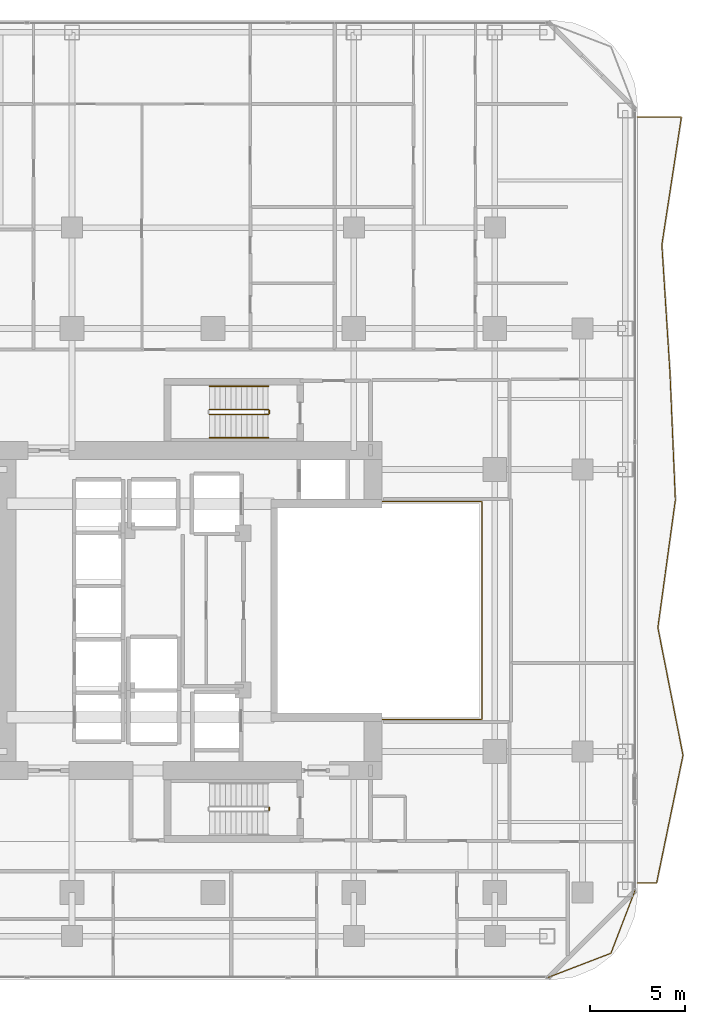
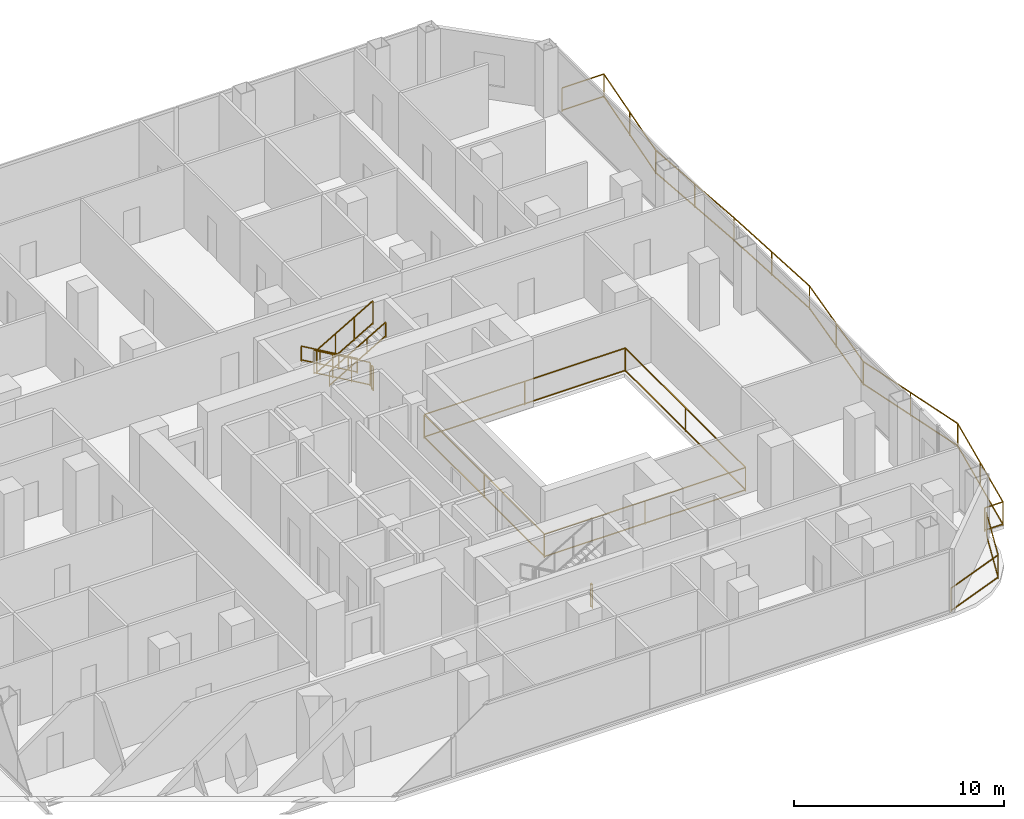
# One storey, part 26 of 27: 9 railings.
"""IFC4 building model written with IfcOpenShell, lengths in metres."""

from ifc_helpers import new_model, si_unit, direction, frame, origin, origin_2d, place, context, subcontext, project, spatial, rectangle, extrude, material, type_object, element, save


model = new_model("IFC4")

# Units and contexts
model_context = context("Model", 3, precision=1e-05, world=origin(), true_north=direction((0.0, 1.0)))
body_context = subcontext(model_context, "Body", "Model", "MODEL_VIEW")
ifc_project = project(units=[si_unit("LENGTHUNIT", "METRE"), si_unit("AREAUNIT", "SQUARE_METRE"), si_unit("VOLUMEUNIT", "CUBIC_METRE"), si_unit("PLANEANGLEUNIT", "RADIAN"), si_unit("MASSUNIT", "GRAM", prefix="KILO")], contexts=[model_context])

# Site, building, storey
site_placement = place(None, origin())
site = spatial("IfcSite", under=ifc_project, at=site_placement, CompositionType="ELEMENT")
building_placement = place(site_placement, origin())
building = spatial("IfcBuilding", under=site, at=building_placement, Name="Khorvyn Point Tower", CompositionType="ELEMENT")
storey_placement = place(building_placement, frame((0.0, 0.0, 96.89990234375)))
storey = spatial("IfcBuildingStorey", under=building, at=storey_placement, Name="L24", CompositionType="ELEMENT", Elevation=96.89990234375)

# Railings
ifc_material_1 = material(Name="Stainless steel 1.4401 and laminated glass", Category="steel")
railing_type_1 = type_object("IfcRailingType", Name="Crystal Atrium Smoke-Rated Perimeter Guardrail 1400", PredefinedType="GUARDRAIL", material=ifc_material_1)
railing_1_placement = place(storey_placement, frame((3.080078125, -5.719970703125, 0.0)))
element("IfcRailing", 1, at=railing_1_placement, inside=storey, type_object=railing_type_1, Name="L24 Crystal Atrium Perimeter Guardrail", PredefinedType="GUARDRAIL", context=body_context, shape_type="SweptSolid", body=[
    extrude(rectangle(XDim=0.048095703125, YDim=0.048095703125, at=origin_2d()), frame((0.0, 0.0, 1.3759765625), z_axis=(1.0, 0.0, 0.0), x_axis=(0.0, 1.0, 0.0)), (0.0, 0.0, 1.0), 11.0400390625),
    extrude(rectangle(XDim=0.048095703125, YDim=0.048095703125, at=origin_2d()), frame((0.0, 0.0, 0.080078125), z_axis=(1.0, 0.0, 0.0), x_axis=(0.0, 1.0, 0.0)), (0.0, 0.0, 1.0), 11.0400390625),
    extrude(rectangle(XDim=0.048095703125, YDim=0.048095703125, at=origin_2d()), frame((11.0400390625, 0.0, 1.3759765625), z_axis=(0.0, 1.0, 0.0), x_axis=(-1.0, 0.0, 0.0)), (0.0, 0.0, 1.0), 11.43994140625),
    extrude(rectangle(XDim=0.048095703125, YDim=0.048095703125, at=origin_2d()), frame((11.0400390625, 0.0, 0.080078125), z_axis=(0.0, 1.0, 0.0), x_axis=(-1.0, 0.0, 0.0)), (0.0, 0.0, 1.0), 11.43994140625),
    extrude(rectangle(XDim=0.048095703125, YDim=0.048095703125, at=origin_2d()), frame((11.0400390625, 11.43994140625, 1.3759765625), z_axis=(-1.0, 0.0, 0.0), x_axis=(0.0, -1.0, 0.0)), (0.0, 0.0, 1.0), 11.0400390625),
    extrude(rectangle(XDim=0.048095703125, YDim=0.048095703125, at=origin_2d()), frame((11.0400390625, 11.43994140625, 0.080078125), z_axis=(-1.0, 0.0, 0.0), x_axis=(0.0, -1.0, 0.0)), (0.0, 0.0, 1.0), 11.0400390625),
    extrude(rectangle(XDim=0.048095703125, YDim=0.048095703125, at=origin_2d()), frame((0.0, 11.43994140625, 1.3759765625), z_axis=(0.0, -1.0, 0.0), x_axis=(1.0, 0.0, 0.0)), (0.0, 0.0, 1.0), 11.409912109375),
    extrude(rectangle(XDim=0.048095703125, YDim=0.048095703125, at=origin_2d()), frame((0.0, 11.43994140625, 0.080078125), z_axis=(0.0, -1.0, 0.0), x_axis=(1.0, 0.0, 0.0)), (0.0, 0.0, 1.0), 11.409912109375),
    extrude(rectangle(XDim=0.0419921875, YDim=0.0419921875, at=origin_2d()), origin(), (0.0, 0.0, 1.0), 1.351806640625),
    extrude(rectangle(XDim=0.0419921875, YDim=0.0419921875, at=origin_2d()), frame((5.52001953125, 0.0, 0.0)), (0.0, 0.0, 1.0), 1.351806640625),
    extrude(rectangle(XDim=0.0419921875, YDim=0.0419921875, at=origin_2d()), frame((11.0400390625, 0.0, 0.0)), (0.0, 0.0, 1.0), 1.351806640625),
    extrude(rectangle(XDim=0.0419921875, YDim=0.0419921875, at=origin_2d()), frame((11.0400390625, 5.719970703125, 0.0)), (0.0, 0.0, 1.0), 1.351806640625),
    extrude(rectangle(XDim=0.0419921875, YDim=0.0419921875, at=origin_2d()), frame((11.0400390625, 11.43994140625, 0.0)), (0.0, 0.0, 1.0), 1.351806640625),
    extrude(rectangle(XDim=0.0419921875, YDim=0.0419921875, at=origin_2d()), frame((5.52001953125, 11.43994140625, 0.0)), (0.0, 0.0, 1.0), 1.351806640625),
    extrude(rectangle(XDim=0.0419921875, YDim=0.0419921875, at=origin_2d()), frame((0.0, 11.43994140625, 0.0)), (0.0, 0.0, 1.0), 1.351806640625),
    extrude(rectangle(XDim=0.0419921875, YDim=0.0419921875, at=origin_2d()), frame((0.0, 5.73486328125, 0.0)), (0.0, 0.0, 1.0), 1.351806640625),
    extrude(rectangle(XDim=0.0419921875, YDim=0.0419921875, at=origin_2d()), frame((0.0, 0.030029296875, 0.0)), (0.0, 0.0, 1.0), 1.351806640625),
])
ifc_material_2 = material(Name="Anodised aluminium 6063-T6 and laminated safety glass", Category="aluminium")
railing_type_2 = type_object("IfcRailingType", Name="Laminated Glass and Aluminium Balcony Guardrail 1400", PredefinedType="BALUSTRADE", material=ifc_material_2)
railing_2_placement = place(storey_placement, frame((17.57080078125, -19.27392578125, 0.0)))
element("IfcRailing", 2, at=railing_2_placement, inside=storey, type_object=railing_type_2, Name="L24 Rounded Corner Edge Guardrail SE", PredefinedType="BALUSTRADE", context=body_context, shape_type="SweptSolid", body=[
    extrude(rectangle(XDim=0.048095703125, YDim=0.048095703125, at=origin_2d()), frame((0.0, 0.0, 1.3759765625), z_axis=(0.933583807283, 0.358359142172, 0.0), x_axis=(-0.358359142172, 0.933583807283, 0.0)), (0.0, 0.0, 1.0), 3.56298828125),
    extrude(rectangle(XDim=0.048095703125, YDim=0.048095703125, at=origin_2d()), frame((0.0, 0.0, 0.080078125), z_axis=(0.933583807283, 0.358359142172, 0.0), x_axis=(-0.358359142172, 0.933583807283, 0.0)), (0.0, 0.0, 1.0), 3.56298828125),
    extrude(rectangle(XDim=0.048095703125, YDim=0.048095703125, at=origin_2d()), frame((3.326416015625, 1.27685546875, 1.3759765625), z_axis=(0.358382067435, 0.933575007025, 0.0), x_axis=(-0.933575007025, 0.358382067435, 0.0)), (0.0, 0.0, 1.0), 3.562744140625),
    extrude(rectangle(XDim=0.048095703125, YDim=0.048095703125, at=origin_2d()), frame((3.326416015625, 1.27685546875, 0.080078125), z_axis=(0.358382067435, 0.933575007025, 0.0), x_axis=(-0.933575007025, 0.358382067435, 0.0)), (0.0, 0.0, 1.0), 3.562744140625),
    extrude(rectangle(XDim=0.0419921875, YDim=0.0419921875, at=origin_2d()), origin(), (0.0, 0.0, 1.0), 1.351806640625),
    extrude(rectangle(XDim=0.0419921875, YDim=0.0419921875, at=origin_2d()), frame((3.326416015625, 1.27685546875, 0.0)), (0.0, 0.0, 1.0), 1.351806640625),
    extrude(rectangle(XDim=0.0419921875, YDim=0.0419921875, at=origin_2d()), frame((4.603271484375, 4.60302734375, 0.0)), (0.0, 0.0, 1.0), 1.351806640625),
])
railing_3_placement = place(storey_placement, frame((22.300048828125, -14.300048828125, 0.0)))
element("IfcRailing", 3, at=railing_3_placement, inside=storey, type_object=railing_type_2, Name="L24 East Balcony Guardrail", PredefinedType="BALUSTRADE", context=body_context, shape_type="SweptSolid", body=[
    extrude(rectangle(XDim=0.048095703125, YDim=0.048095703125, at=origin_2d()), frame((0.0, 0.0, 1.3759765625), z_axis=(1.0, 0.0, 0.0), x_axis=(0.0, 1.0, 0.0)), (0.0, 0.0, 1.0), 0.9951171875),
    extrude(rectangle(XDim=0.048095703125, YDim=0.048095703125, at=origin_2d()), frame((0.0, 0.0, 0.080078125), z_axis=(1.0, 0.0, 0.0), x_axis=(0.0, 1.0, 0.0)), (0.0, 0.0, 1.0), 0.9951171875),
    extrude(rectangle(XDim=0.048095703125, YDim=0.048095703125, at=origin_2d()), frame((0.9951171875, 0.0, 1.3759765625), z_axis=(0.20233655163, 0.979316046981, 0.0), x_axis=(-0.979316046981, 0.20233655163, 0.0)), (0.0, 0.0, 1.0), 6.841552734375),
    extrude(rectangle(XDim=0.048095703125, YDim=0.048095703125, at=origin_2d()), frame((0.9951171875, 0.0, 0.080078125), z_axis=(0.20233655163, 0.979316046981, 0.0), x_axis=(-0.979316046981, 0.20233655163, 0.0)), (0.0, 0.0, 1.0), 6.841552734375),
    extrude(rectangle(XDim=0.048095703125, YDim=0.048095703125, at=origin_2d()), frame((2.37939453125, 6.699951171875, 1.3759765625), z_axis=(-0.193200160481, 0.981159364217, 0.0), x_axis=(-0.981159364217, -0.193200160481, 0.0)), (0.0, 0.0, 1.0), 6.828857421875),
    extrude(rectangle(XDim=0.048095703125, YDim=0.048095703125, at=origin_2d()), frame((2.37939453125, 6.699951171875, 0.080078125), z_axis=(-0.193200160481, 0.981159364217, 0.0), x_axis=(-0.981159364217, -0.193200160481, 0.0)), (0.0, 0.0, 1.0), 6.828857421875),
    extrude(rectangle(XDim=0.048095703125, YDim=0.048095703125, at=origin_2d()), frame((1.06005859375, 13.400146484375, 1.3759765625), z_axis=(0.135778529509, 0.990739214387, 0.0), x_axis=(-0.990739214387, 0.135778529509, 0.0)), (0.0, 0.0, 1.0), 6.7626953125),
    extrude(rectangle(XDim=0.048095703125, YDim=0.048095703125, at=origin_2d()), frame((1.06005859375, 13.400146484375, 0.080078125), z_axis=(0.135778529509, 0.990739214387, 0.0), x_axis=(-0.990739214387, 0.135778529509, 0.0)), (0.0, 0.0, 1.0), 6.7626953125),
    extrude(rectangle(XDim=0.048095703125, YDim=0.048095703125, at=origin_2d()), frame((1.978271484375, 20.10009765625, 1.3759765625), z_axis=(-0.042195378406, 0.999109378417, 0.0), x_axis=(-0.999109378417, -0.042195378406, 0.0)), (0.0, 0.0, 1.0), 6.705810546875),
    extrude(rectangle(XDim=0.048095703125, YDim=0.048095703125, at=origin_2d()), frame((1.978271484375, 20.10009765625, 0.080078125), z_axis=(-0.042195378406, 0.999109378417, 0.0), x_axis=(-0.999109378417, -0.042195378406, 0.0)), (0.0, 0.0, 1.0), 6.705810546875),
    extrude(rectangle(XDim=0.048095703125, YDim=0.048095703125, at=origin_2d()), frame((1.6953125, 26.800048828125, 1.3759765625), z_axis=(-0.063277084693, 0.997995997263, 0.0), x_axis=(-0.997995997263, -0.063277084693, 0.0)), (0.0, 0.0, 1.0), 6.71337890625),
    extrude(rectangle(XDim=0.048095703125, YDim=0.048095703125, at=origin_2d()), frame((1.6953125, 26.800048828125, 0.080078125), z_axis=(-0.063277084693, 0.997995997263, 0.0), x_axis=(-0.997995997263, -0.063277084693, 0.0)), (0.0, 0.0, 1.0), 6.71337890625),
    extrude(rectangle(XDim=0.048095703125, YDim=0.048095703125, at=origin_2d()), frame((1.2705078125, 33.5, 1.3759765625), z_axis=(0.151071842168, 0.988522786032, 0.0), x_axis=(-0.988522786032, 0.151071842168, 0.0)), (0.0, 0.0, 1.0), 6.77783203125),
    extrude(rectangle(XDim=0.048095703125, YDim=0.048095703125, at=origin_2d()), frame((1.2705078125, 33.5, 0.080078125), z_axis=(0.151071842168, 0.988522786032, 0.0), x_axis=(-0.988522786032, 0.151071842168, 0.0)), (0.0, 0.0, 1.0), 6.77783203125),
    extrude(rectangle(XDim=0.048095703125, YDim=0.048095703125, at=origin_2d()), frame((2.29443359375, 40.199951171875, 1.3759765625), z_axis=(-1.0, 0.0, 0.0), x_axis=(0.0, -1.0, 0.0)), (0.0, 0.0, 1.0), 2.29443359375),
    extrude(rectangle(XDim=0.048095703125, YDim=0.048095703125, at=origin_2d()), frame((2.29443359375, 40.199951171875, 0.080078125), z_axis=(-1.0, 0.0, 0.0), x_axis=(0.0, -1.0, 0.0)), (0.0, 0.0, 1.0), 2.29443359375),
    extrude(rectangle(XDim=0.0419921875, YDim=0.0419921875, at=origin_2d()), origin(), (0.0, 0.0, 1.0), 1.351806640625),
    extrude(rectangle(XDim=0.0419921875, YDim=0.0419921875, at=origin_2d()), frame((0.9951171875, 0.0, 0.0)), (0.0, 0.0, 1.0), 1.351806640625),
    extrude(rectangle(XDim=0.0419921875, YDim=0.0419921875, at=origin_2d()), frame((1.687255859375, 3.35009765625, 0.0)), (0.0, 0.0, 1.0), 1.351806640625),
    extrude(rectangle(XDim=0.0419921875, YDim=0.0419921875, at=origin_2d()), frame((2.37939453125, 6.699951171875, 0.0)), (0.0, 0.0, 1.0), 1.351806640625),
    extrude(rectangle(XDim=0.0419921875, YDim=0.0419921875, at=origin_2d()), frame((1.7197265625, 10.050048828125, 0.0)), (0.0, 0.0, 1.0), 1.351806640625),
    extrude(rectangle(XDim=0.0419921875, YDim=0.0419921875, at=origin_2d()), frame((1.06005859375, 13.400146484375, 0.0)), (0.0, 0.0, 1.0), 1.351806640625),
    extrude(rectangle(XDim=0.0419921875, YDim=0.0419921875, at=origin_2d()), frame((1.51904296875, 16.75, 0.0)), (0.0, 0.0, 1.0), 1.351806640625),
    extrude(rectangle(XDim=0.0419921875, YDim=0.0419921875, at=origin_2d()), frame((1.978271484375, 20.10009765625, 0.0)), (0.0, 0.0, 1.0), 1.351806640625),
    extrude(rectangle(XDim=0.0419921875, YDim=0.0419921875, at=origin_2d()), frame((1.8369140625, 23.4501953125, 0.0)), (0.0, 0.0, 1.0), 1.351806640625),
    extrude(rectangle(XDim=0.0419921875, YDim=0.0419921875, at=origin_2d()), frame((1.6953125, 26.800048828125, 0.0)), (0.0, 0.0, 1.0), 1.351806640625),
    extrude(rectangle(XDim=0.0419921875, YDim=0.0419921875, at=origin_2d()), frame((1.48291015625, 30.14990234375, 0.0)), (0.0, 0.0, 1.0), 1.351806640625),
    extrude(rectangle(XDim=0.0419921875, YDim=0.0419921875, at=origin_2d()), frame((1.2705078125, 33.5, 0.0)), (0.0, 0.0, 1.0), 1.351806640625),
    extrude(rectangle(XDim=0.0419921875, YDim=0.0419921875, at=origin_2d()), frame((1.782470703125, 36.85009765625, 0.0)), (0.0, 0.0, 1.0), 1.351806640625),
    extrude(rectangle(XDim=0.0419921875, YDim=0.0419921875, at=origin_2d()), frame((2.29443359375, 40.199951171875, 0.0)), (0.0, 0.0, 1.0), 1.351806640625),
    extrude(rectangle(XDim=0.0419921875, YDim=0.0419921875, at=origin_2d()), frame((0.0, 40.199951171875, 0.0)), (0.0, 0.0, 1.0), 1.351806640625),
])
ifc_material_3 = material(Name="Stainless steel 1.4301", Category="steel")
railing_type_3 = type_object("IfcRailingType", Name="Stainless Steel 304 Stair Pitch Handrail 900", PredefinedType="HANDRAIL", material=ifc_material_3)
railing_4_placement = place(storey_placement, frame((2.89990234375, 11.77001953125, 0.16259765625)))
element("IfcRailing", 4, at=railing_4_placement, inside=storey, type_object=railing_type_3, Name="L24 ST-02 stair handrail 1", PredefinedType="HANDRAIL", context=body_context, shape_type="SweptSolid", body=[
    extrude(rectangle(XDim=0.048095703125, YDim=0.048095703125, at=origin_2d()), frame((0.0, 0.0, 0.8759765625), z_axis=(-0.864873446163, 0.0, 0.501989962173), x_axis=(0.0, -1.0, 0.0)), (0.0, 0.0, 1.0), 3.56103515625),
    extrude(rectangle(XDim=0.048095703125, YDim=0.048095703125, at=origin_2d()), frame((0.0, 0.0, 0.080078125), z_axis=(-0.864873446163, 0.0, 0.501989962173), x_axis=(0.0, -1.0, 0.0)), (0.0, 0.0, 1.0), 3.56103515625),
    extrude(rectangle(XDim=0.0419921875, YDim=0.0419921875, at=origin_2d()), origin(), (0.0, 0.0, 1.0), 0.851806640625),
    extrude(rectangle(XDim=0.0419921875, YDim=0.0419921875, at=origin_2d()), frame((-1.026611328125, 0.0, 0.595947265625)), (0.0, 0.0, 1.0), 0.851806640625),
    extrude(rectangle(XDim=0.0419921875, YDim=0.0419921875, at=origin_2d()), frame((-2.05322265625, 0.0, 1.191650390625)), (0.0, 0.0, 1.0), 0.851806640625),
    extrude(rectangle(XDim=0.0419921875, YDim=0.0419921875, at=origin_2d()), frame((-3.079833984375, 0.0, 1.78759765625)), (0.0, 0.0, 1.0), 0.851806640625),
])
railing_5_placement = place(storey_placement, frame((-0.179931640625, 9.070068359375, 2.112548828125)))
element("IfcRailing", 5, at=railing_5_placement, inside=storey, type_object=railing_type_3, Name="L24 ST-02 stair handrail 2", PredefinedType="HANDRAIL", context=body_context, shape_type="SweptSolid", body=[
    extrude(rectangle(XDim=0.048095703125, YDim=0.048095703125, at=origin_2d()), frame((0.0, 0.0, 0.8759765625), z_axis=(0.864873446163, 0.0, 0.501989962173), x_axis=(0.0, 1.0, 0.0)), (0.0, 0.0, 1.0), 3.56103515625),
    extrude(rectangle(XDim=0.048095703125, YDim=0.048095703125, at=origin_2d()), frame((0.0, 0.0, 0.080078125), z_axis=(0.864873446163, 0.0, 0.501989962173), x_axis=(0.0, 1.0, 0.0)), (0.0, 0.0, 1.0), 3.56103515625),
    extrude(rectangle(XDim=0.0419921875, YDim=0.0419921875, at=origin_2d()), origin(), (0.0, 0.0, 1.0), 0.851806640625),
    extrude(rectangle(XDim=0.0419921875, YDim=0.0419921875, at=origin_2d()), frame((1.026611328125, 0.0, 0.595947265625)), (0.0, 0.0, 1.0), 0.851806640625),
    extrude(rectangle(XDim=0.0419921875, YDim=0.0419921875, at=origin_2d()), frame((2.05322265625, 0.0, 1.191650390625)), (0.0, 0.0, 1.0), 0.851806640625),
    extrude(rectangle(XDim=0.0419921875, YDim=0.0419921875, at=origin_2d()), frame((3.079833984375, 0.0, 1.78759765625)), (0.0, 0.0, 1.0), 0.851806640625),
])
railing_type_4 = type_object("IfcRailingType", Name="Stainless Steel 304 Stair Well Guardrail 1400", PredefinedType="GUARDRAIL", material=ifc_material_3)
railing_6_placement = place(storey_placement, frame((2.949951171875, -10.340087890625, 0.0)))
element("IfcRailing", 6, at=railing_6_placement, inside=storey, type_object=railing_type_4, Name="L24 ST-01 stair guard 4", PredefinedType="GUARDRAIL", context=body_context, shape_type="SweptSolid", body=[
    extrude(rectangle(XDim=0.048095703125, YDim=0.048095703125, at=origin_2d()), frame((0.0, 0.0, 1.3759765625), z_axis=(0.0, -1.0, 0.0), x_axis=(1.0, 0.0, 0.0)), (0.0, 0.0, 1.0), 0.159912109375),
    extrude(rectangle(XDim=0.048095703125, YDim=0.048095703125, at=origin_2d()), frame((0.0, 0.0, 0.080078125), z_axis=(0.0, -1.0, 0.0), x_axis=(1.0, 0.0, 0.0)), (0.0, 0.0, 1.0), 0.159912109375),
    extrude(rectangle(XDim=0.0419921875, YDim=0.0419921875, at=origin_2d()), origin(), (0.0, 0.0, 1.0), 1.351806640625),
    extrude(rectangle(XDim=0.0419921875, YDim=0.0419921875, at=origin_2d()), frame((0.0, -0.159912109375, 0.0)), (0.0, 0.0, 1.0), 1.351806640625),
])
railing_7_placement = place(storey_placement, frame((2.89990234375, 10.550048828125, 0.16259765625)))
element("IfcRailing", 7, at=railing_7_placement, inside=storey, type_object=railing_type_4, Name="L24 ST-02 stair guard 1", PredefinedType="GUARDRAIL", context=body_context, shape_type="SweptSolid", body=[
    extrude(rectangle(XDim=0.048095703125, YDim=0.048095703125, at=origin_2d()), frame((0.0, 0.0, 1.3759765625), z_axis=(-0.864873446163, 0.0, 0.501989962173), x_axis=(0.0, -1.0, 0.0)), (0.0, 0.0, 1.0), 3.56103515625),
    extrude(rectangle(XDim=0.048095703125, YDim=0.048095703125, at=origin_2d()), frame((0.0, 0.0, 0.080078125), z_axis=(-0.864873446163, 0.0, 0.501989962173), x_axis=(0.0, -1.0, 0.0)), (0.0, 0.0, 1.0), 3.56103515625),
    extrude(rectangle(XDim=0.0419921875, YDim=0.0419921875, at=origin_2d()), origin(), (0.0, 0.0, 1.0), 1.351806640625),
    extrude(rectangle(XDim=0.0419921875, YDim=0.0419921875, at=origin_2d()), frame((-1.026611328125, 0.0, 0.595947265625)), (0.0, 0.0, 1.0), 1.351806640625),
    extrude(rectangle(XDim=0.0419921875, YDim=0.0419921875, at=origin_2d()), frame((-2.05322265625, 0.0, 1.191650390625)), (0.0, 0.0, 1.0), 1.351806640625),
    extrude(rectangle(XDim=0.0419921875, YDim=0.0419921875, at=origin_2d()), frame((-3.079833984375, 0.0, 1.78759765625)), (0.0, 0.0, 1.0), 1.351806640625),
])
railing_8_placement = place(storey_placement, frame((-0.179931640625, 10.2900390625, 2.112548828125)))
element("IfcRailing", 8, at=railing_8_placement, inside=storey, type_object=railing_type_4, Name="L24 ST-02 stair guard 3", PredefinedType="GUARDRAIL", context=body_context, shape_type="SweptSolid", body=[
    extrude(rectangle(XDim=0.048095703125, YDim=0.048095703125, at=origin_2d()), frame((0.0, 0.0, 1.3759765625), z_axis=(0.864873446163, 0.0, 0.501989962173), x_axis=(0.0, 1.0, 0.0)), (0.0, 0.0, 1.0), 3.56103515625),
    extrude(rectangle(XDim=0.048095703125, YDim=0.048095703125, at=origin_2d()), frame((0.0, 0.0, 0.080078125), z_axis=(0.864873446163, 0.0, 0.501989962173), x_axis=(0.0, 1.0, 0.0)), (0.0, 0.0, 1.0), 3.56103515625),
    extrude(rectangle(XDim=0.0419921875, YDim=0.0419921875, at=origin_2d()), origin(), (0.0, 0.0, 1.0), 1.351806640625),
    extrude(rectangle(XDim=0.0419921875, YDim=0.0419921875, at=origin_2d()), frame((1.026611328125, 0.0, 0.595947265625)), (0.0, 0.0, 1.0), 1.351806640625),
    extrude(rectangle(XDim=0.0419921875, YDim=0.0419921875, at=origin_2d()), frame((2.05322265625, 0.0, 1.191650390625)), (0.0, 0.0, 1.0), 1.351806640625),
    extrude(rectangle(XDim=0.0419921875, YDim=0.0419921875, at=origin_2d()), frame((3.079833984375, 0.0, 1.78759765625)), (0.0, 0.0, 1.0), 1.351806640625),
])
railing_9_placement = place(storey_placement, frame((2.949951171875, 10.5, 0.0)))
element("IfcRailing", 9, at=railing_9_placement, inside=storey, type_object=railing_type_4, Name="L24 ST-02 stair guard 4", PredefinedType="GUARDRAIL", context=body_context, shape_type="SweptSolid", body=[
    extrude(rectangle(XDim=0.048095703125, YDim=0.048095703125, at=origin_2d()), frame((0.0, 0.0, 1.3759765625), z_axis=(0.0, -1.0, 0.0), x_axis=(1.0, 0.0, 0.0)), (0.0, 0.0, 1.0), 0.159912109375),
    extrude(rectangle(XDim=0.048095703125, YDim=0.048095703125, at=origin_2d()), frame((0.0, 0.0, 0.080078125), z_axis=(0.0, -1.0, 0.0), x_axis=(1.0, 0.0, 0.0)), (0.0, 0.0, 1.0), 0.159912109375),
    extrude(rectangle(XDim=0.0419921875, YDim=0.0419921875, at=origin_2d()), origin(), (0.0, 0.0, 1.0), 1.351806640625),
    extrude(rectangle(XDim=0.0419921875, YDim=0.0419921875, at=origin_2d()), frame((0.0, -0.159912109375, 0.0)), (0.0, 0.0, 1.0), 1.351806640625),
])

save(model, "model.ifc")
